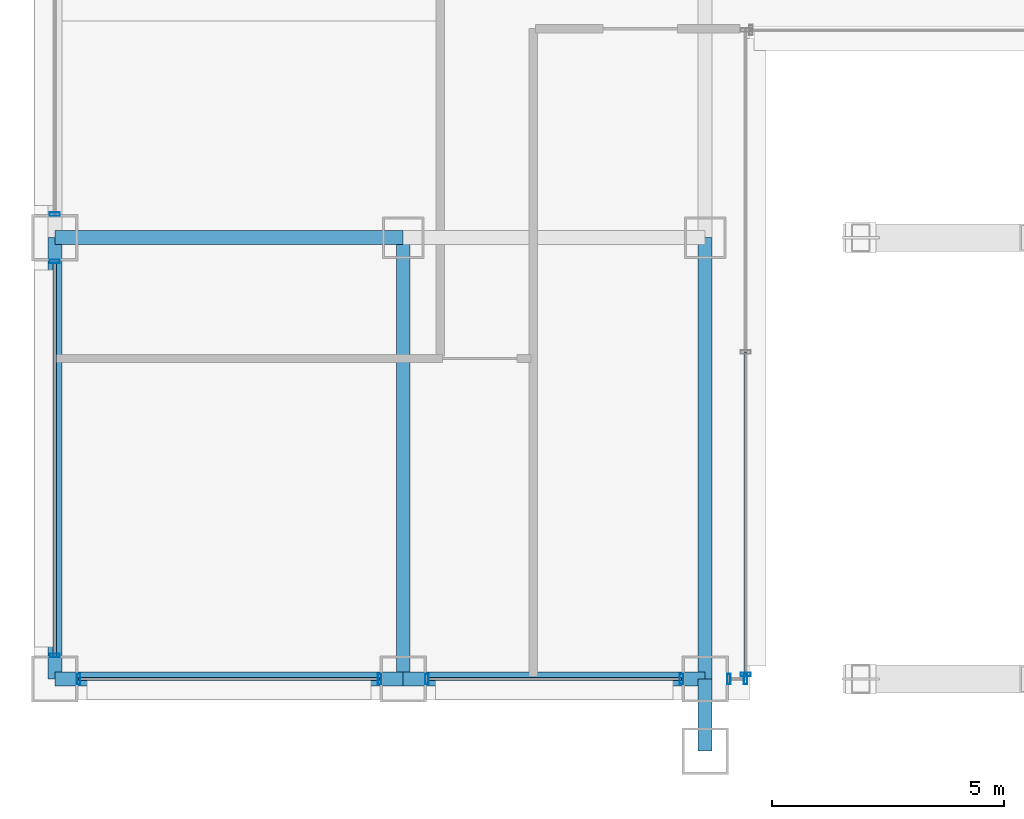
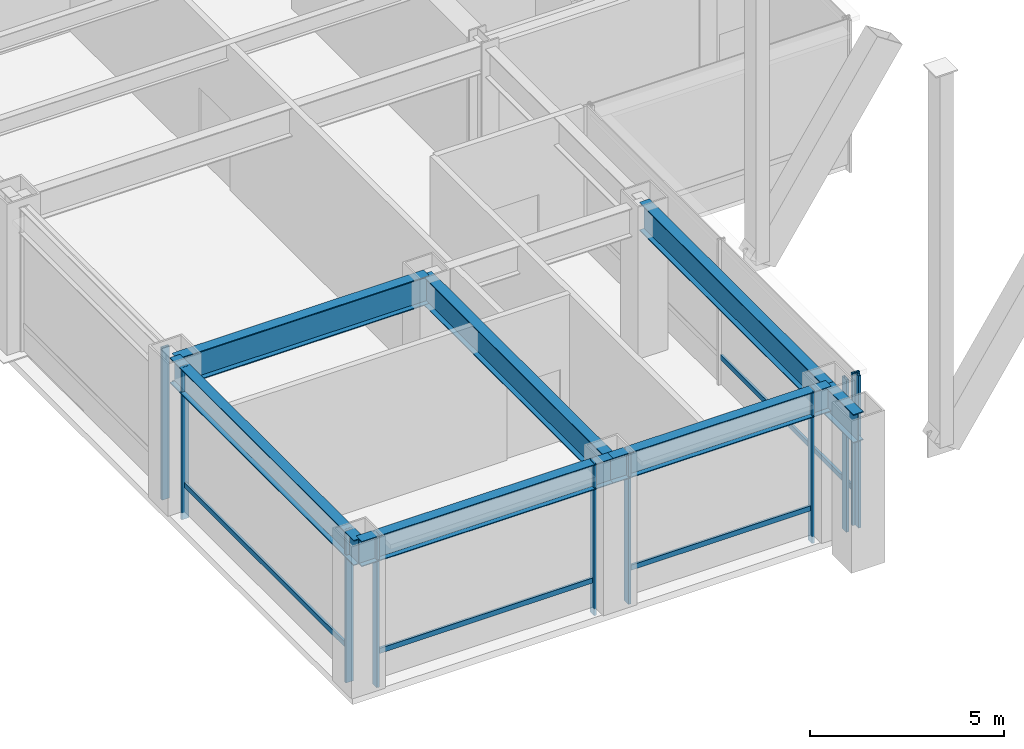
# One storey, part 2 of 40: 14 members, 7 beams, 6 elements without a shape of their own.
"""IFC4 building model written with IfcOpenShell, lengths in metres."""

from ifc_helpers import new_model, si_unit, direction, frame, origin, origin_2d, place, context, subcontext, project, spatial, hollow_rectangle, i_section, extrude, material, layer, layer_set, material_profile, profile_set, type_object, element, aggregate, save


model = new_model("IFC4")

# Units and contexts
model_context = context("Model", 3, precision=1e-05, world=origin(), true_north=direction((0.0, 1.0)))
body_context = subcontext(model_context, "Body", "Model", "MODEL_VIEW")
ifc_project = project(units=[si_unit("LENGTHUNIT", "METRE"), si_unit("AREAUNIT", "SQUARE_METRE"), si_unit("VOLUMEUNIT", "CUBIC_METRE"), si_unit("PLANEANGLEUNIT", "RADIAN"), si_unit("MASSUNIT", "GRAM", prefix="KILO")], contexts=[model_context])

# Site, building, storey
site_placement = place(None, origin())
site = spatial("IfcSite", under=ifc_project, at=site_placement, CompositionType="ELEMENT")
building_placement = place(site_placement, origin())
building = spatial("IfcBuilding", under=site, at=building_placement, Name="Brelmoor Portico Tower", CompositionType="ELEMENT")
storey_placement = place(building_placement, frame((0.0, 0.0, 4.800048828125)))
storey = spatial("IfcBuildingStorey", under=building, at=storey_placement, Name="L01", CompositionType="ELEMENT", Elevation=4.800048828125)

# Beams
ifc_material_1 = material(Name="Steel Q355B", Category="steel")
ifc_material_profile_1 = material_profile(ifc_material_1, i_section(OverallWidth=0.300048828125, OverallDepth=0.89990234375, WebThickness=0.01611328125, FlangeThickness=0.028076171875, at=origin_2d()), Name="HN 900x300x16x28")
ifc_profile_set_1 = profile_set([ifc_material_profile_1], Name="Steel Q355B")
beam_type_1 = type_object("IfcBeamType", Name="BM-PG-900", PredefinedType="BEAM", material=ifc_profile_set_1)
beam_1_placement = place(storey_placement, frame((-21.050048828125, -27.550048828125, 4.1298828125), z_axis=(0.0, 1.0, 0.0), x_axis=(-1.0, 0.0, 0.0)))
element("IfcBeam", 1, at=beam_1_placement, inside=storey, type_object=beam_type_1, Name="L01 Primary Floor Girder PG-01", PredefinedType="BEAM", context=body_context, shape_type="SweptSolid", body=[
    extrude(i_section(OverallWidth=0.300048828125, OverallDepth=0.89990234375, WebThickness=0.01611328125, FlangeThickness=0.028076171875, at=origin_2d()), origin(), (0.0, 0.0, 1.0), 9.5),
])
beam_2_placement = place(storey_placement, frame((-14.550048828125, -29.10009765625, 4.1298828125), z_axis=(0.0, 1.0, 0.0), x_axis=(-1.0, 0.0, 0.0)))
element("IfcBeam", 2, at=beam_2_placement, inside=storey, type_object=beam_type_1, Name="L01 Primary Floor Girder PG-03", PredefinedType="BEAM", context=body_context, shape_type="SweptSolid", body=[
    extrude(i_section(OverallWidth=0.300048828125, OverallDepth=0.89990234375, WebThickness=0.01611328125, FlangeThickness=0.028076171875, at=origin_2d()), origin(), (0.0, 0.0, 1.0), 1.550048828125),
])
beam_3_placement = place(storey_placement, frame((-14.550048828125, -27.550048828125, 4.1298828125), z_axis=(0.0, 1.0, 0.0), x_axis=(-1.0, 0.0, 0.0)))
element("IfcBeam", 3, at=beam_3_placement, inside=storey, type_object=beam_type_1, Name="L01 Primary Floor Girder PG-04", PredefinedType="BEAM", context=body_context, shape_type="SweptSolid", body=[
    extrude(i_section(OverallWidth=0.300048828125, OverallDepth=0.89990234375, WebThickness=0.01611328125, FlangeThickness=0.028076171875, at=origin_2d()), origin(), (0.0, 0.0, 1.0), 9.5),
])
beam_4_placement = place(storey_placement, frame((-28.550048828125, -18.050048828125, 4.1298828125), z_axis=(1.0, 0.0, 0.0), x_axis=(0.0, 1.0, 0.0)))
element("IfcBeam", 4, at=beam_4_placement, inside=storey, type_object=beam_type_1, Name="L01 Primary Floor Girder PG-21", PredefinedType="BEAM", context=body_context, shape_type="SweptSolid", body=[
    extrude(i_section(OverallWidth=0.300048828125, OverallDepth=0.89990234375, WebThickness=0.01611328125, FlangeThickness=0.028076171875, at=origin_2d()), origin(), (0.0, 0.0, 1.0), 7.5),
])
ifc_material_profile_2 = material_profile(ifc_material_1, i_section(OverallWidth=0.300048828125, OverallDepth=0.800048828125, WebThickness=0.013916015625, FlangeThickness=0.02587890625, at=origin_2d()), Name="HN 800x300x14x26")
ifc_profile_set_2 = profile_set([ifc_material_profile_2], Name="Steel Q355B")
beam_type_2 = type_object("IfcBeamType", Name="BM-SP-800", PredefinedType="SPANDREL", material=ifc_profile_set_2)
beam_5_placement = place(storey_placement, frame((-28.550048828125, -27.550048828125, 4.179931640625), z_axis=(1.0, 0.0, 0.0), x_axis=(0.0, 1.0, 0.0)))
element("IfcBeam", 5, at=beam_5_placement, inside=storey, type_object=beam_type_2, Name="L01 Perimeter Spandrel Beam SP-01", PredefinedType="SPANDREL", context=body_context, shape_type="SweptSolid", body=[
    extrude(i_section(OverallWidth=0.300048828125, OverallDepth=0.800048828125, WebThickness=0.013916015625, FlangeThickness=0.02587890625, at=origin_2d()), origin(), (0.0, 0.0, 1.0), 7.5),
])
beam_6_placement = place(storey_placement, frame((-21.050048828125, -27.550048828125, 4.179931640625), z_axis=(1.0, 0.0, 0.0), x_axis=(0.0, 1.0, 0.0)))
element("IfcBeam", 6, at=beam_6_placement, inside=storey, type_object=beam_type_2, Name="L01 Perimeter Spandrel Beam SP-02", PredefinedType="SPANDREL", context=body_context, shape_type="SweptSolid", body=[
    extrude(i_section(OverallWidth=0.300048828125, OverallDepth=0.800048828125, WebThickness=0.013916015625, FlangeThickness=0.02587890625, at=origin_2d()), origin(), (0.0, 0.0, 1.0), 6.5),
])
beam_7_placement = place(storey_placement, frame((-28.550048828125, -27.550048828125, 4.179931640625), z_axis=(0.0, 1.0, 0.0), x_axis=(-1.0, 0.0, 0.0)))
element("IfcBeam", 7, at=beam_7_placement, inside=storey, type_object=beam_type_2, Name="L01 Perimeter Spandrel Beam SP-09", PredefinedType="SPANDREL", context=body_context, shape_type="SweptSolid", body=[
    extrude(i_section(OverallWidth=0.300048828125, OverallDepth=0.800048828125, WebThickness=0.013916015625, FlangeThickness=0.02587890625, at=origin_2d()), origin(), (0.0, 0.0, 1.0), 9.5),
])

# Curtain wall, members
ifc_material_2 = material(Name="Anodised Aluminium Alloy 6063-T6", Category="aluminium")
ifc_layer = layer(ifc_material_2, 0.179931640625)
ifc_layer_set = layer_set([ifc_layer], Name="Anodised Aluminium Alloy 6063-T6")
curtain_wall_type = type_object("IfcCurtainWallType", Name="CW-PODIUM-ARCH", PredefinedType="NOTDEFINED", material=ifc_layer_set)
curtain_wall_1_placement = place(storey_placement, origin())
curtain_wall_1 = element("IfcCurtainWall", 8, at=curtain_wall_1_placement, inside=storey, type_object=curtain_wall_type, Name="L01 Curtain Wall CW-L01-01-1", PredefinedType="NOTDEFINED")
ifc_material_profile_3 = material_profile(ifc_material_2, hollow_rectangle(XDim=0.074951171875, YDim=0.219970703125, WallThickness=0.0048828125, at=origin_2d()), Name="ALU MULLION 75x220")
ifc_profile_set_3 = profile_set([ifc_material_profile_3], Name="Anodised Aluminium Alloy 6063-T6")
member_type_1 = type_object("IfcMemberType", Name="MB-CW-MULL-220", PredefinedType="MULLION", material=ifc_profile_set_3)
member_1_placement = place(storey_placement, frame((-28.0400390625, -27.550048828125, -0.219970703125), z_axis=(0.0, 0.0, 1.0), x_axis=(1.0, 0.0, 0.0)))
member_1 = element("IfcMember", 9, at=member_1_placement, type_object=member_type_1, Name="CW-L01-01-1 Mullion 00", PredefinedType="MULLION", context=body_context, shape_type="SweptSolid", body=[
    extrude(hollow_rectangle(XDim=0.074951171875, YDim=0.219970703125, WallThickness=0.0048828125, at=origin_2d()), origin(), (0.0, 0.0, 1.0), 4.7998046875),
])
member_2_placement = place(storey_placement, frame((-21.56005859375, -27.550048828125, -0.219970703125), z_axis=(0.0, 0.0, 1.0), x_axis=(1.0, 0.0, 0.0)))
member_2 = element("IfcMember", 10, at=member_2_placement, type_object=member_type_1, Name="CW-L01-01-1 Mullion 01", PredefinedType="MULLION", context=body_context, shape_type="SweptSolid", body=[
    extrude(hollow_rectangle(XDim=0.074951171875, YDim=0.219970703125, WallThickness=0.0048828125, at=origin_2d()), origin(), (0.0, 0.0, 1.0), 4.7998046875),
])

curtain_wall_2_placement = place(storey_placement, origin())
curtain_wall_2 = element("IfcCurtainWall", 11, at=curtain_wall_2_placement, inside=storey, type_object=curtain_wall_type, Name="L01 Curtain Wall CW-L01-01-2", PredefinedType="NOTDEFINED")
member_3_placement = place(storey_placement, frame((-20.5400390625, -27.550048828125, -0.219970703125), z_axis=(0.0, 0.0, 1.0), x_axis=(1.0, 0.0, 0.0)))
member_3 = element("IfcMember", 12, at=member_3_placement, type_object=member_type_1, Name="CW-L01-01-2 Mullion 00", PredefinedType="MULLION", context=body_context, shape_type="SweptSolid", body=[
    extrude(hollow_rectangle(XDim=0.074951171875, YDim=0.219970703125, WallThickness=0.0048828125, at=origin_2d()), origin(), (0.0, 0.0, 1.0), 4.7998046875),
])
member_4_placement = place(storey_placement, frame((-15.06005859375, -27.550048828125, -0.219970703125), z_axis=(0.0, 0.0, 1.0), x_axis=(1.0, 0.0, 0.0)))
member_4 = element("IfcMember", 13, at=member_4_placement, type_object=member_type_1, Name="CW-L01-01-2 Mullion 01", PredefinedType="MULLION", context=body_context, shape_type="SweptSolid", body=[
    extrude(hollow_rectangle(XDim=0.074951171875, YDim=0.219970703125, WallThickness=0.0048828125, at=origin_2d()), origin(), (0.0, 0.0, 1.0), 4.7998046875),
])

curtain_wall_3_placement = place(storey_placement, origin())
curtain_wall_3 = element("IfcCurtainWall", 14, at=curtain_wall_3_placement, inside=storey, type_object=curtain_wall_type, Name="L01 Curtain Wall CW-L01-01-3", PredefinedType="NOTDEFINED")
member_5_placement = place(storey_placement, frame((-14.0400390625, -27.550048828125, -0.219970703125), z_axis=(0.0, 0.0, 1.0), x_axis=(1.0, 0.0, 0.0)))
member_5 = element("IfcMember", 15, at=member_5_placement, type_object=member_type_1, Name="CW-L01-01-3 Mullion 00", PredefinedType="MULLION", context=body_context, shape_type="SweptSolid", body=[
    extrude(hollow_rectangle(XDim=0.074951171875, YDim=0.219970703125, WallThickness=0.0048828125, at=origin_2d()), origin(), (0.0, 0.0, 1.0), 4.7998046875),
])
member_6_placement = place(storey_placement, frame((-13.679931640625, -27.550048828125, -0.219970703125), z_axis=(0.0, 0.0, 1.0), x_axis=(1.0, 0.0, 0.0)))
member_6 = element("IfcMember", 16, at=member_6_placement, type_object=member_type_1, Name="CW-L01-01-3 Mullion 01", PredefinedType="MULLION", context=body_context, shape_type="SweptSolid", body=[
    extrude(hollow_rectangle(XDim=0.074951171875, YDim=0.219970703125, WallThickness=0.0048828125, at=origin_2d()), origin(), (0.0, 0.0, 1.0), 4.7998046875),
])
aggregate(curtain_wall_3, [member_5, member_6])

curtain_wall_4_placement = place(storey_placement, origin())
curtain_wall_4 = element("IfcCurtainWall", 17, at=curtain_wall_4_placement, inside=storey, type_object=curtain_wall_type, Name="L01 Curtain Wall CW-L01-05-1", PredefinedType="NOTDEFINED")
member_7_placement = place(storey_placement, frame((-28.550048828125, -27.0400390625, -0.219970703125), z_axis=(0.0, 0.0, 1.0), x_axis=(0.0, 1.0, 0.0)))
member_7 = element("IfcMember", 18, at=member_7_placement, type_object=member_type_1, Name="CW-L01-05-1 Mullion 00", PredefinedType="MULLION", context=body_context, shape_type="SweptSolid", body=[
    extrude(hollow_rectangle(XDim=0.074951171875, YDim=0.219970703125, WallThickness=0.0048828125, at=origin_2d()), origin(), (0.0, 0.0, 1.0), 4.7998046875),
])
member_8_placement = place(storey_placement, frame((-28.550048828125, -18.56005859375, -0.219970703125), z_axis=(0.0, 0.0, 1.0), x_axis=(0.0, 1.0, 0.0)))
member_8 = element("IfcMember", 19, at=member_8_placement, type_object=member_type_1, Name="CW-L01-05-1 Mullion 01", PredefinedType="MULLION", context=body_context, shape_type="SweptSolid", body=[
    extrude(hollow_rectangle(XDim=0.074951171875, YDim=0.219970703125, WallThickness=0.0048828125, at=origin_2d()), origin(), (0.0, 0.0, 1.0), 4.7998046875),
])

# Curtain wall, member
curtain_wall_5_placement = place(storey_placement, origin())
curtain_wall_5 = element("IfcCurtainWall", 20, at=curtain_wall_5_placement, inside=storey, type_object=curtain_wall_type, Name="L01 Curtain Wall CW-L01-05-2", PredefinedType="NOTDEFINED")
member_9_placement = place(storey_placement, frame((-28.550048828125, -17.5400390625, -0.219970703125), z_axis=(0.0, 0.0, 1.0), x_axis=(0.0, 1.0, 0.0)))
member_9 = element("IfcMember", 21, at=member_9_placement, type_object=member_type_1, Name="CW-L01-05-2 Mullion 00", PredefinedType="MULLION", context=body_context, shape_type="SweptSolid", body=[
    extrude(hollow_rectangle(XDim=0.074951171875, YDim=0.219970703125, WallThickness=0.0048828125, at=origin_2d()), origin(), (0.0, 0.0, 1.0), 4.7998046875),
])
aggregate(curtain_wall_5, [member_9])

curtain_wall_6_placement = place(storey_placement, origin())
curtain_wall_6 = element("IfcCurtainWall", 22, at=curtain_wall_6_placement, inside=storey, type_object=curtain_wall_type, Name="L01 Curtain Wall CW-L01-07", PredefinedType="NOTDEFINED")
member_10_placement = place(storey_placement, frame((-13.679931640625, -27.449951171875, -0.219970703125), z_axis=(0.0, 0.0, 1.0), x_axis=(0.0, 1.0, 0.0)))
member_10 = element("IfcMember", 23, at=member_10_placement, type_object=member_type_1, Name="CW-L01-07 Mullion 00", PredefinedType="MULLION", context=body_context, shape_type="SweptSolid", body=[
    extrude(hollow_rectangle(XDim=0.074951171875, YDim=0.219970703125, WallThickness=0.0048828125, at=origin_2d()), origin(), (0.0, 0.0, 1.0), 4.7998046875),
])

# Member
ifc_material_profile_4 = material_profile(ifc_material_2, hollow_rectangle(XDim=0.070068359375, YDim=0.159912109375, WallThickness=0.00390625, at=origin_2d()), Name="ALU TRANSOM 70x160")
ifc_profile_set_4 = profile_set([ifc_material_profile_4], Name="Anodised Aluminium Alloy 6063-T6")
member_type_2 = type_object("IfcMemberType", Name="MB-CW-TRAN-160", PredefinedType="USERDEFINED", material=ifc_profile_set_4)
member_11_placement = place(storey_placement, frame((-28.0400390625, -27.550048828125, 0.849853515625), z_axis=(1.0, 0.0, 0.0), x_axis=(0.0, 1.0, 0.0)))
member_11 = element("IfcMember", 24, at=member_11_placement, type_object=member_type_2, Name="CW-L01-01-1 Transom 1-00", ObjectType="TRANSOM", PredefinedType="USERDEFINED", context=body_context, shape_type="SweptSolid", body=[
    extrude(hollow_rectangle(XDim=0.070068359375, YDim=0.159912109375, WallThickness=0.00390625, at=origin_2d()), origin(), (0.0, 0.0, 1.0), 6.47998046875),
])

aggregate(curtain_wall_1, [member_1, member_2, member_11])

member_12_placement = place(storey_placement, frame((-20.5400390625, -27.550048828125, 0.849853515625), z_axis=(1.0, 0.0, 0.0), x_axis=(0.0, 1.0, 0.0)))
member_12 = element("IfcMember", 25, at=member_12_placement, type_object=member_type_2, Name="CW-L01-01-2 Transom 1-00", ObjectType="TRANSOM", PredefinedType="USERDEFINED", context=body_context, shape_type="SweptSolid", body=[
    extrude(hollow_rectangle(XDim=0.070068359375, YDim=0.159912109375, WallThickness=0.00390625, at=origin_2d()), origin(), (0.0, 0.0, 1.0), 5.47998046875),
])

aggregate(curtain_wall_2, [member_3, member_4, member_12])

member_13_placement = place(storey_placement, frame((-28.550048828125, -27.0400390625, 0.849853515625), z_axis=(0.0, 1.0, 0.0), x_axis=(-1.0, 0.0, 0.0)))
member_13 = element("IfcMember", 26, at=member_13_placement, type_object=member_type_2, Name="CW-L01-05-1 Transom 1-00", ObjectType="TRANSOM", PredefinedType="USERDEFINED", context=body_context, shape_type="SweptSolid", body=[
    extrude(hollow_rectangle(XDim=0.070068359375, YDim=0.159912109375, WallThickness=0.00390625, at=origin_2d()), origin(), (0.0, 0.0, 1.0), 8.47998046875),
])

aggregate(curtain_wall_4, [member_7, member_8, member_13])

member_14_placement = place(storey_placement, frame((-13.679931640625, -27.449951171875, 0.849853515625), z_axis=(0.0, 1.0, 0.0), x_axis=(-1.0, 0.0, 0.0)))
member_14 = element("IfcMember", 27, at=member_14_placement, type_object=member_type_2, Name="CW-L01-07 Transom 1-00", ObjectType="TRANSOM", PredefinedType="USERDEFINED", context=body_context, shape_type="SweptSolid", body=[
    extrude(hollow_rectangle(XDim=0.070068359375, YDim=0.159912109375, WallThickness=0.00390625, at=origin_2d()), origin(), (0.0, 0.0, 1.0), 6.93505859375),
])

aggregate(curtain_wall_6, [member_10, member_14])

save(model, "model.ifc")
